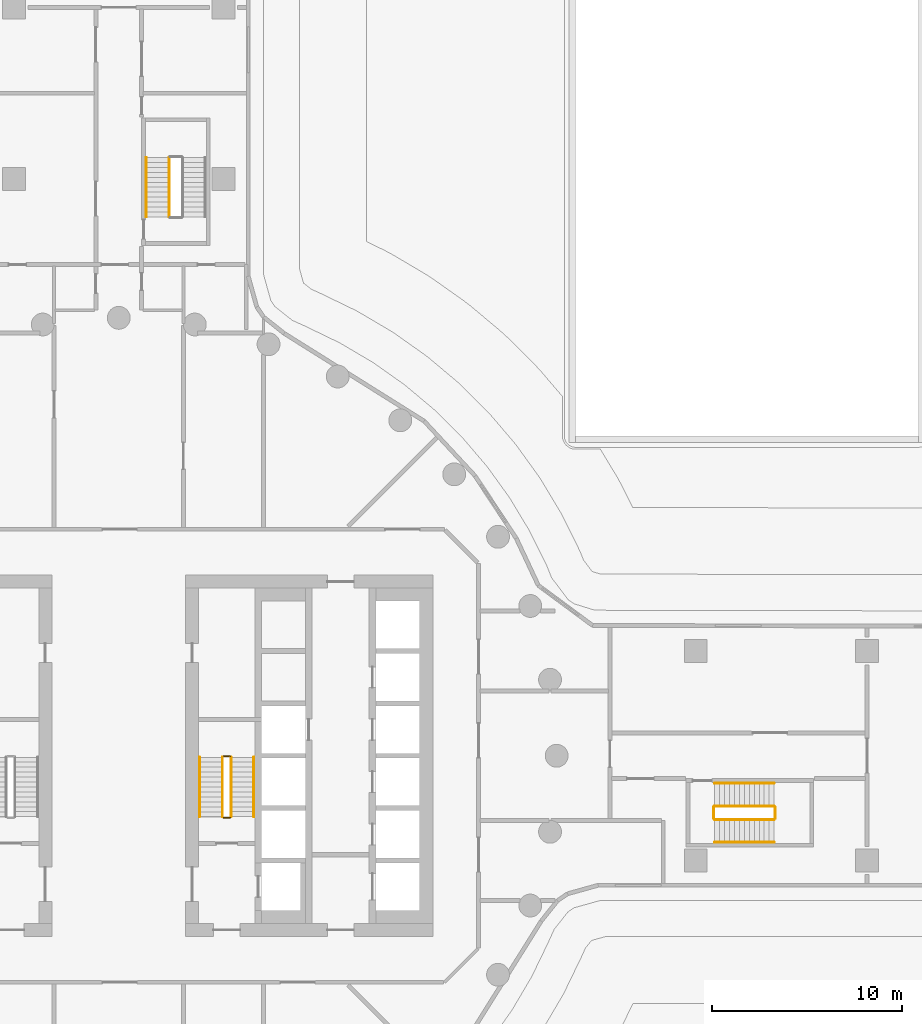
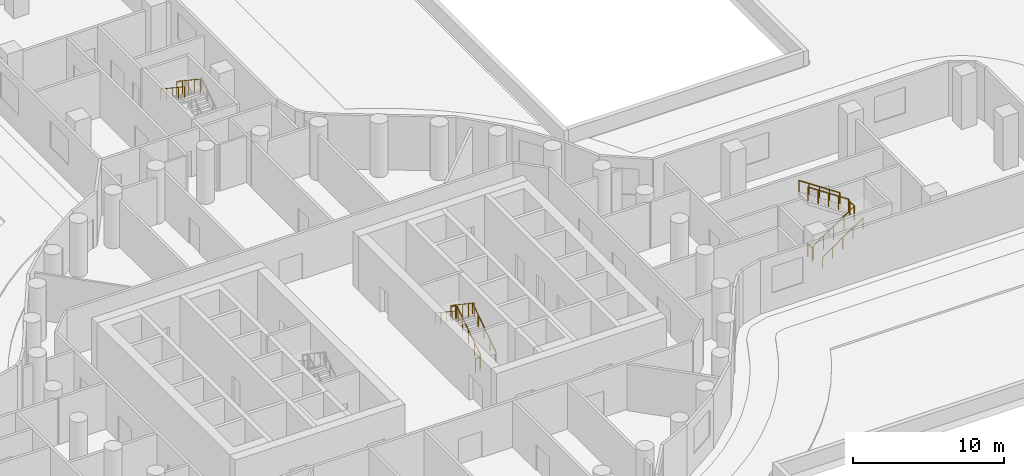
# One storey, part 34 of 37: 14 railings.
"""IFC4 building model written with IfcOpenShell, lengths in metres."""

from ifc_helpers import new_model, si_unit, direction, frame, origin, origin_2d, place, context, subcontext, project, spatial, circle, extrude, material, type_object, element, save


model = new_model("IFC4")

# Units and contexts
model_context = context("Model", 3, precision=1e-05, world=origin(), true_north=direction((0.0, 1.0)))
body_context = subcontext(model_context, "Body", "Model", "MODEL_VIEW")
ifc_project = project(units=[si_unit("LENGTHUNIT", "METRE"), si_unit("AREAUNIT", "SQUARE_METRE"), si_unit("VOLUMEUNIT", "CUBIC_METRE"), si_unit("PLANEANGLEUNIT", "RADIAN"), si_unit("MASSUNIT", "GRAM", prefix="KILO")], contexts=[model_context])

# Site, building, storey
site_placement = place(None, origin())
site = spatial("IfcSite", under=ifc_project, at=site_placement, CompositionType="ELEMENT")
building_placement = place(site_placement, origin())
building = spatial("IfcBuilding", under=site, at=building_placement, Name="Tamarind Cross Interchange Tower", CompositionType="ELEMENT")
storey_placement = place(building_placement, frame((0.0, 0.0, 29.5)))
storey = spatial("IfcBuildingStorey", under=building, at=storey_placement, Name="L05", CompositionType="ELEMENT", Elevation=29.5)

# Railings
ifc_material_1 = material(Name="Stair guard")
railing_type_1 = type_object("IfcRailingType", Name="Stair guard", PredefinedType="GUARDRAIL", material=ifc_material_1)
railing_1_placement = place(storey_placement, frame((5.89990234375, -3.199951171875, 0.173095703125)))
element("IfcRailing", 1, at=railing_1_placement, inside=storey, type_object=railing_type_1, Name="L05 ST2 stair guard 1", PredefinedType="GUARDRAIL", context=body_context, shape_type="SweptSolid", body=[
    extrude(circle(Radius=0.02392578125, at=origin_2d()), frame((0.0, 0.0, 1.076171875), z_axis=(0.0, 0.832420903958, 0.554143879018), x_axis=(-1.0, 0.0, 0.0)), (0.0, 0.0, 1.0), 3.748046875),
    extrude(circle(Radius=0.02099609375, at=origin_2d()), origin(), (0.0, 0.0, 1.0), 1.052001953125),
    extrude(circle(Radius=0.02099609375, at=origin_2d()), frame((0.0, 0.780029296875, 0.519287109375)), (0.0, 0.0, 1.0), 1.052001953125),
    extrude(circle(Radius=0.02099609375, at=origin_2d()), frame((0.0, 1.56005859375, 1.03857421875)), (0.0, 0.0, 1.0), 1.052001953125),
    extrude(circle(Radius=0.02099609375, at=origin_2d()), frame((0.0, 2.33984375, 1.5576171875)), (0.0, 0.0, 1.0), 1.052001953125),
    extrude(circle(Radius=0.02099609375, at=origin_2d()), frame((0.0, 3.119873046875, 2.076904296875)), (0.0, 0.0, 1.0), 1.052001953125),
])
railing_2_placement = place(storey_placement, frame((5.85009765625, -0.030029296875, 2.25)))
element("IfcRailing", 2, at=railing_2_placement, inside=storey, type_object=railing_type_1, Name="L05 ST2 stair guard 2", PredefinedType="GUARDRAIL", context=body_context, shape_type="SweptSolid", body=[
    extrude(circle(Radius=0.02392578125, at=origin_2d()), frame((0.0, 0.0, 1.076171875), z_axis=(-1.0, 0.0, 0.0), x_axis=(0.0, -1.0, 0.0)), (0.0, 0.0, 1.0), 0.35009765625),
    extrude(circle(Radius=0.02099609375, at=origin_2d()), origin(), (0.0, 0.0, 1.0), 1.052001953125),
    extrude(circle(Radius=0.02099609375, at=origin_2d()), frame((-0.35009765625, 0.0, 0.0)), (0.0, 0.0, 1.0), 1.052001953125),
])
railing_3_placement = place(storey_placement, frame((5.449951171875, -0.080078125, 2.423095703125)))
element("IfcRailing", 3, at=railing_3_placement, inside=storey, type_object=railing_type_1, Name="L05 ST2 stair guard 3", PredefinedType="GUARDRAIL", context=body_context, shape_type="SweptSolid", body=[
    extrude(circle(Radius=0.02392578125, at=origin_2d()), frame((0.0, 0.0, 1.076171875), z_axis=(0.0, -0.832420903958, 0.554143879018), x_axis=(1.0, 0.0, 0.0)), (0.0, 0.0, 1.0), 3.748046875),
    extrude(circle(Radius=0.02099609375, at=origin_2d()), origin(), (0.0, 0.0, 1.0), 1.052001953125),
    extrude(circle(Radius=0.02099609375, at=origin_2d()), frame((0.0, -0.780029296875, 0.519287109375)), (0.0, 0.0, 1.0), 1.052001953125),
    extrude(circle(Radius=0.02099609375, at=origin_2d()), frame((0.0, -1.56005859375, 1.03857421875)), (0.0, 0.0, 1.0), 1.052001953125),
    extrude(circle(Radius=0.02099609375, at=origin_2d()), frame((0.0, -2.33984375, 1.5576171875)), (0.0, 0.0, 1.0), 1.052001953125),
    extrude(circle(Radius=0.02099609375, at=origin_2d()), frame((0.0, -3.119873046875, 2.076904296875)), (0.0, 0.0, 1.0), 1.052001953125),
])
railing_4_placement = place(storey_placement, frame((5.85009765625, -3.25, 0.0)))
element("IfcRailing", 4, at=railing_4_placement, inside=storey, type_object=railing_type_1, Name="L05 ST2 stair guard 4", PredefinedType="GUARDRAIL", context=body_context, shape_type="SweptSolid", body=[
    extrude(circle(Radius=0.02392578125, at=origin_2d()), frame((0.0, 0.0, 1.076171875), z_axis=(-1.0, 0.0, 0.0), x_axis=(0.0, -1.0, 0.0)), (0.0, 0.0, 1.0), 0.35009765625),
    extrude(circle(Radius=0.02099609375, at=origin_2d()), origin(), (0.0, 0.0, 1.0), 1.052001953125),
    extrude(circle(Radius=0.02099609375, at=origin_2d()), frame((-0.35009765625, 0.0, 0.0)), (0.0, 0.0, 1.0), 1.052001953125),
])
railing_5_placement = place(storey_placement, frame((31.300048828125, -3.35009765625, 0.173095703125)))
element("IfcRailing", 5, at=railing_5_placement, inside=storey, type_object=railing_type_1, Name="L05 ST3 stair guard 1", PredefinedType="GUARDRAIL", context=body_context, shape_type="SweptSolid", body=[
    extrude(circle(Radius=0.02392578125, at=origin_2d()), frame((0.0, 0.0, 1.076171875), z_axis=(0.832420903958, 0.0, 0.554143879018), x_axis=(0.0, 1.0, 0.0)), (0.0, 0.0, 1.0), 3.748046875),
    extrude(circle(Radius=0.02099609375, at=origin_2d()), origin(), (0.0, 0.0, 1.0), 1.052001953125),
    extrude(circle(Radius=0.02099609375, at=origin_2d()), frame((0.780029296875, 0.0, 0.519287109375)), (0.0, 0.0, 1.0), 1.052001953125),
    extrude(circle(Radius=0.02099609375, at=origin_2d()), frame((1.56005859375, 0.0, 1.03857421875)), (0.0, 0.0, 1.0), 1.052001953125),
    extrude(circle(Radius=0.02099609375, at=origin_2d()), frame((2.33984375, 0.0, 1.5576171875)), (0.0, 0.0, 1.0), 1.052001953125),
    extrude(circle(Radius=0.02099609375, at=origin_2d()), frame((3.119873046875, 0.0, 2.076904296875)), (0.0, 0.0, 1.0), 1.052001953125),
])
railing_6_placement = place(storey_placement, frame((34.469970703125, -3.300048828125, 2.25)))
element("IfcRailing", 6, at=railing_6_placement, inside=storey, type_object=railing_type_1, Name="L05 ST3 stair guard 2", PredefinedType="GUARDRAIL", context=body_context, shape_type="SweptSolid", body=[
    extrude(circle(Radius=0.02392578125, at=origin_2d()), frame((0.0, 0.0, 1.076171875), z_axis=(0.0, 1.0, 0.0), x_axis=(-1.0, 0.0, 0.0)), (0.0, 0.0, 1.0), 0.60009765625),
    extrude(circle(Radius=0.02099609375, at=origin_2d()), origin(), (0.0, 0.0, 1.0), 1.052001953125),
    extrude(circle(Radius=0.02099609375, at=origin_2d()), frame((0.0, 0.60009765625, 0.0)), (0.0, 0.0, 1.0), 1.052001953125),
])
railing_7_placement = place(storey_placement, frame((34.419921875, -2.64990234375, 2.423095703125)))
element("IfcRailing", 7, at=railing_7_placement, inside=storey, type_object=railing_type_1, Name="L05 ST3 stair guard 3", PredefinedType="GUARDRAIL", context=body_context, shape_type="SweptSolid", body=[
    extrude(circle(Radius=0.02392578125, at=origin_2d()), frame((0.0, 0.0, 1.076171875), z_axis=(-0.832420903958, 0.0, 0.554143879018), x_axis=(0.0, -1.0, 0.0)), (0.0, 0.0, 1.0), 3.748046875),
    extrude(circle(Radius=0.02099609375, at=origin_2d()), origin(), (0.0, 0.0, 1.0), 1.052001953125),
    extrude(circle(Radius=0.02099609375, at=origin_2d()), frame((-0.780029296875, 0.0, 0.519287109375)), (0.0, 0.0, 1.0), 1.052001953125),
    extrude(circle(Radius=0.02099609375, at=origin_2d()), frame((-1.56005859375, 0.0, 1.03857421875)), (0.0, 0.0, 1.0), 1.052001953125),
    extrude(circle(Radius=0.02099609375, at=origin_2d()), frame((-2.33984375, 0.0, 1.5576171875)), (0.0, 0.0, 1.0), 1.052001953125),
    extrude(circle(Radius=0.02099609375, at=origin_2d()), frame((-3.119873046875, 0.0, 2.076904296875)), (0.0, 0.0, 1.0), 1.052001953125),
])
railing_8_placement = place(storey_placement, frame((31.25, -3.300048828125, 0.0)))
element("IfcRailing", 8, at=railing_8_placement, inside=storey, type_object=railing_type_1, Name="L05 ST3 stair guard 4", PredefinedType="GUARDRAIL", context=body_context, shape_type="SweptSolid", body=[
    extrude(circle(Radius=0.02392578125, at=origin_2d()), frame((0.0, 0.0, 1.076171875), z_axis=(0.0, 1.0, 0.0), x_axis=(-1.0, 0.0, 0.0)), (0.0, 0.0, 1.0), 0.60009765625),
    extrude(circle(Radius=0.02099609375, at=origin_2d()), origin(), (0.0, 0.0, 1.0), 1.052001953125),
    extrude(circle(Radius=0.02099609375, at=origin_2d()), frame((0.0, 0.60009765625, 0.0)), (0.0, 0.0, 1.0), 1.052001953125),
])
railing_9_placement = place(storey_placement, frame((2.64990234375, 31.419921875, 2.423095703125)))
element("IfcRailing", 9, at=railing_9_placement, inside=storey, type_object=railing_type_1, Name="L05 ST4 stair guard 3", PredefinedType="GUARDRAIL", context=body_context, shape_type="SweptSolid", body=[
    extrude(circle(Radius=0.02392578125, at=origin_2d()), frame((0.0, 0.0, 1.076171875), z_axis=(0.0, -0.832420903958, 0.554143879018), x_axis=(1.0, 0.0, 0.0)), (0.0, 0.0, 1.0), 3.748046875),
    extrude(circle(Radius=0.02099609375, at=origin_2d()), origin(), (0.0, 0.0, 1.0), 1.052001953125),
    extrude(circle(Radius=0.02099609375, at=origin_2d()), frame((0.0, -0.780029296875, 0.519287109375)), (0.0, 0.0, 1.0), 1.052001953125),
    extrude(circle(Radius=0.02099609375, at=origin_2d()), frame((0.0, -1.56005859375, 1.03857421875)), (0.0, 0.0, 1.0), 1.052001953125),
    extrude(circle(Radius=0.02099609375, at=origin_2d()), frame((0.0, -2.33984375, 1.5576171875)), (0.0, 0.0, 1.0), 1.052001953125),
    extrude(circle(Radius=0.02099609375, at=origin_2d()), frame((0.0, -3.119873046875, 2.076904296875)), (0.0, 0.0, 1.0), 1.052001953125),
])
ifc_material_2 = material(Name="Stair handrail")
railing_type_2 = type_object("IfcRailingType", Name="Stair handrail", PredefinedType="HANDRAIL", material=ifc_material_2)
railing_10_placement = place(storey_placement, frame((7.10009765625, -3.199951171875, 0.173095703125)))
element("IfcRailing", 10, at=railing_10_placement, inside=storey, type_object=railing_type_2, Name="L05 ST2 stair handrail 1", PredefinedType="HANDRAIL", context=body_context, shape_type="SweptSolid", body=[
    extrude(circle(Radius=0.02392578125, at=origin_2d()), frame((0.0, 0.0, 0.8759765625), z_axis=(0.0, 0.832420903958, 0.554143879018), x_axis=(-1.0, 0.0, 0.0)), (0.0, 0.0, 1.0), 3.748046875),
    extrude(circle(Radius=0.02099609375, at=origin_2d()), origin(), (0.0, 0.0, 1.0), 0.851806640625),
    extrude(circle(Radius=0.02099609375, at=origin_2d()), frame((0.0, 0.780029296875, 0.519287109375)), (0.0, 0.0, 1.0), 0.851806640625),
    extrude(circle(Radius=0.02099609375, at=origin_2d()), frame((0.0, 1.56005859375, 1.03857421875)), (0.0, 0.0, 1.0), 0.851806640625),
    extrude(circle(Radius=0.02099609375, at=origin_2d()), frame((0.0, 2.33984375, 1.5576171875)), (0.0, 0.0, 1.0), 0.851806640625),
    extrude(circle(Radius=0.02099609375, at=origin_2d()), frame((0.0, 3.119873046875, 2.076904296875)), (0.0, 0.0, 1.0), 0.851806640625),
])
railing_11_placement = place(storey_placement, frame((4.25, -0.080078125, 2.423095703125)))
element("IfcRailing", 11, at=railing_11_placement, inside=storey, type_object=railing_type_2, Name="L05 ST2 stair handrail 2", PredefinedType="HANDRAIL", context=body_context, shape_type="SweptSolid", body=[
    extrude(circle(Radius=0.02392578125, at=origin_2d()), frame((0.0, 0.0, 0.8759765625), z_axis=(0.0, -0.832420903958, 0.554143879018), x_axis=(1.0, 0.0, 0.0)), (0.0, 0.0, 1.0), 3.748046875),
    extrude(circle(Radius=0.02099609375, at=origin_2d()), origin(), (0.0, 0.0, 1.0), 0.851806640625),
    extrude(circle(Radius=0.02099609375, at=origin_2d()), frame((0.0, -0.780029296875, 0.519287109375)), (0.0, 0.0, 1.0), 0.851806640625),
    extrude(circle(Radius=0.02099609375, at=origin_2d()), frame((0.0, -1.56005859375, 1.03857421875)), (0.0, 0.0, 1.0), 0.851806640625),
    extrude(circle(Radius=0.02099609375, at=origin_2d()), frame((0.0, -2.33984375, 1.5576171875)), (0.0, 0.0, 1.0), 0.851806640625),
    extrude(circle(Radius=0.02099609375, at=origin_2d()), frame((0.0, -3.119873046875, 2.076904296875)), (0.0, 0.0, 1.0), 0.851806640625),
])
railing_12_placement = place(storey_placement, frame((31.300048828125, -4.550048828125, 0.173095703125)))
element("IfcRailing", 12, at=railing_12_placement, inside=storey, type_object=railing_type_2, Name="L05 ST3 stair handrail 1", PredefinedType="HANDRAIL", context=body_context, shape_type="SweptSolid", body=[
    extrude(circle(Radius=0.02392578125, at=origin_2d()), frame((0.0, 0.0, 0.8759765625), z_axis=(0.832420903958, 0.0, 0.554143879018), x_axis=(0.0, 1.0, 0.0)), (0.0, 0.0, 1.0), 3.748046875),
    extrude(circle(Radius=0.02099609375, at=origin_2d()), origin(), (0.0, 0.0, 1.0), 0.851806640625),
    extrude(circle(Radius=0.02099609375, at=origin_2d()), frame((0.780029296875, 0.0, 0.519287109375)), (0.0, 0.0, 1.0), 0.851806640625),
    extrude(circle(Radius=0.02099609375, at=origin_2d()), frame((1.56005859375, 0.0, 1.03857421875)), (0.0, 0.0, 1.0), 0.851806640625),
    extrude(circle(Radius=0.02099609375, at=origin_2d()), frame((2.33984375, 0.0, 1.5576171875)), (0.0, 0.0, 1.0), 0.851806640625),
    extrude(circle(Radius=0.02099609375, at=origin_2d()), frame((3.119873046875, 0.0, 2.076904296875)), (0.0, 0.0, 1.0), 0.851806640625),
])
railing_13_placement = place(storey_placement, frame((34.419921875, -1.449951171875, 2.423095703125)))
element("IfcRailing", 13, at=railing_13_placement, inside=storey, type_object=railing_type_2, Name="L05 ST3 stair handrail 2", PredefinedType="HANDRAIL", context=body_context, shape_type="SweptSolid", body=[
    extrude(circle(Radius=0.02392578125, at=origin_2d()), frame((0.0, 0.0, 0.8759765625), z_axis=(-0.832420903958, 0.0, 0.554143879018), x_axis=(0.0, -1.0, 0.0)), (0.0, 0.0, 1.0), 3.748046875),
    extrude(circle(Radius=0.02099609375, at=origin_2d()), origin(), (0.0, 0.0, 1.0), 0.851806640625),
    extrude(circle(Radius=0.02099609375, at=origin_2d()), frame((-0.780029296875, 0.0, 0.519287109375)), (0.0, 0.0, 1.0), 0.851806640625),
    extrude(circle(Radius=0.02099609375, at=origin_2d()), frame((-1.56005859375, 0.0, 1.03857421875)), (0.0, 0.0, 1.0), 0.851806640625),
    extrude(circle(Radius=0.02099609375, at=origin_2d()), frame((-2.33984375, 0.0, 1.5576171875)), (0.0, 0.0, 1.0), 0.851806640625),
    extrude(circle(Radius=0.02099609375, at=origin_2d()), frame((-3.119873046875, 0.0, 2.076904296875)), (0.0, 0.0, 1.0), 0.851806640625),
])
railing_14_placement = place(storey_placement, frame((1.449951171875, 31.419921875, 2.423095703125)))
element("IfcRailing", 14, at=railing_14_placement, inside=storey, type_object=railing_type_2, Name="L05 ST4 stair handrail 2", PredefinedType="HANDRAIL", context=body_context, shape_type="SweptSolid", body=[
    extrude(circle(Radius=0.02392578125, at=origin_2d()), frame((0.0, 0.0, 0.8759765625), z_axis=(0.0, -0.832420903958, 0.554143879018), x_axis=(1.0, 0.0, 0.0)), (0.0, 0.0, 1.0), 3.748046875),
    extrude(circle(Radius=0.02099609375, at=origin_2d()), origin(), (0.0, 0.0, 1.0), 0.851806640625),
    extrude(circle(Radius=0.02099609375, at=origin_2d()), frame((0.0, -0.780029296875, 0.519287109375)), (0.0, 0.0, 1.0), 0.851806640625),
    extrude(circle(Radius=0.02099609375, at=origin_2d()), frame((0.0, -1.56005859375, 1.03857421875)), (0.0, 0.0, 1.0), 0.851806640625),
    extrude(circle(Radius=0.02099609375, at=origin_2d()), frame((0.0, -2.33984375, 1.5576171875)), (0.0, 0.0, 1.0), 0.851806640625),
    extrude(circle(Radius=0.02099609375, at=origin_2d()), frame((0.0, -3.119873046875, 2.076904296875)), (0.0, 0.0, 1.0), 0.851806640625),
])

save(model, "model.ifc")
